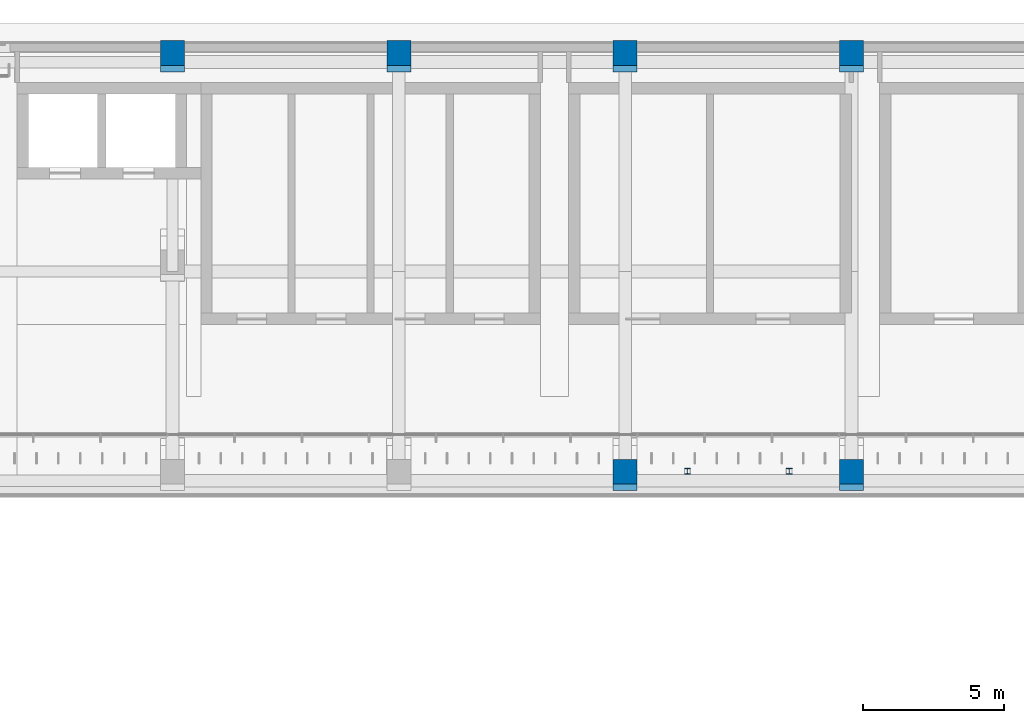
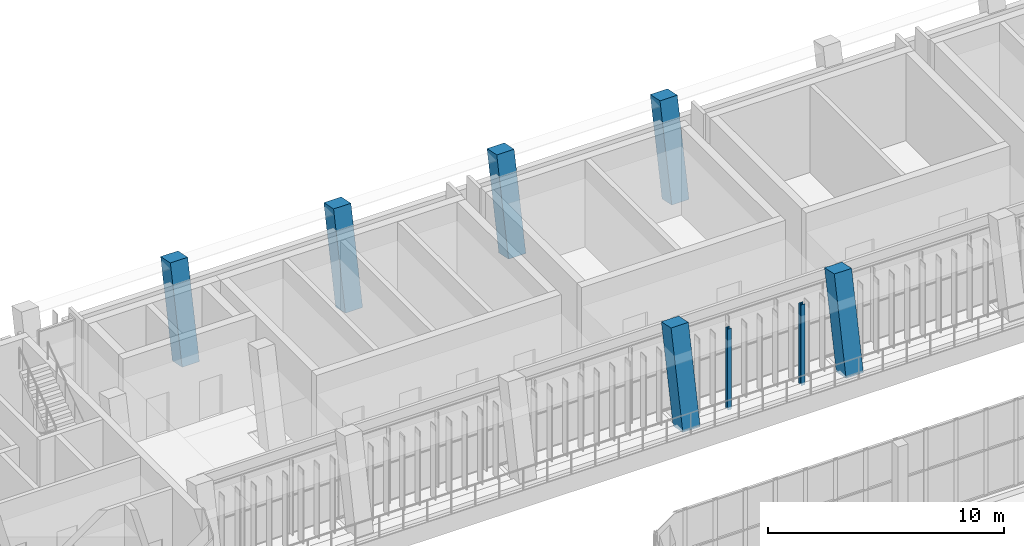
# One storey, part 4 of 92: 8 columns.
"""IFC4 building model written with IfcOpenShell, lengths in metres."""

from ifc_helpers import new_model, si_unit, direction, frame, origin, origin_2d, place, context, subcontext, project, spatial, rectangle, i_section, extrude, material, material_profile, profile_set, type_object, element, save


model = new_model("IFC4")

# Units and contexts
model_context = context("Model", 3, precision=1e-05, world=origin(), true_north=direction((0.0, 1.0)))
body_context = subcontext(model_context, "Body", "Model", "MODEL_VIEW")
ifc_project = project(units=[si_unit("LENGTHUNIT", "METRE"), si_unit("AREAUNIT", "SQUARE_METRE"), si_unit("VOLUMEUNIT", "CUBIC_METRE"), si_unit("PLANEANGLEUNIT", "RADIAN"), si_unit("MASSUNIT", "GRAM", prefix="KILO")], contexts=[model_context])

# Site, building, storey
site_placement = place(None, origin())
site = spatial("IfcSite", under=ifc_project, at=site_placement, CompositionType="ELEMENT")
building_placement = place(site_placement, origin())
building = spatial("IfcBuilding", under=site, at=building_placement, Name="Lantern Court Media Centre", CompositionType="ELEMENT")
storey_placement = place(building_placement, frame((0.0, 0.0, 4.800048828125)))
storey = spatial("IfcBuildingStorey", under=building, at=storey_placement, Name="L01", CompositionType="ELEMENT", Elevation=4.800048828125)

# Columns
ifc_material_1 = material(Name="Steel S355J2 (EN 10025-2)", Category="steel")
ifc_material_profile_1 = material_profile(ifc_material_1, i_section(OverallWidth=0.199951171875, OverallDepth=0.199951171875, WebThickness=0.009033203125, FlangeThickness=0.014892578125, FilletRadius=0.01806640625, at=origin_2d()), Name="HEB 200")
ifc_profile_set_1 = profile_set([ifc_material_profile_1], Name="Steel S355J2 (EN 10025-2)")
column_type_1 = type_object("IfcColumnType", Name="Court bridge north pier HEB 200", PredefinedType="COLUMN", material=ifc_profile_set_1)
for number, where, z_axis, x_axis, name in (
    (1, (50.199951171875, 97.860107421875, 0.0), (0.0, 0.0, 1.0), (1.0, 0.0, 0.0), "Court bridge north bearing pier 1 upper"),
    (2, (53.800048828125, 97.860107421875, 0.0), (0.0, 0.0, 1.0), (1.0, 0.0, 0.0), "Court bridge north bearing pier 2 upper"),
):
    element("IfcColumn", number, at=place(storey_placement, frame(where, z_axis=z_axis, x_axis=x_axis)), inside=storey, type_object=column_type_1, Name=name, PredefinedType="COLUMN", context=body_context, shape_type="SweptSolid", body=[
        extrude(i_section(OverallWidth=0.199951171875, OverallDepth=0.199951171875, WebThickness=0.009033203125, FlangeThickness=0.014892578125, FilletRadius=0.01806640625, at=origin_2d()), origin(), (0.0, 0.0, 1.0), 4.18994140625),
    ])
ifc_material_2 = material(Name="Concrete C35", Category="concrete")
ifc_material_profile_2 = material_profile(ifc_material_2, rectangle(XDim=0.85009765625, YDim=0.85009765625, at=origin_2d()), Name="RC 850x850")
ifc_profile_set_2 = profile_set([ifc_material_profile_2], Name="Concrete C35")
column_type_2 = type_object("IfcColumnType", Name="RC COLUMN 850x850", PredefinedType="COLUMN", material=ifc_profile_set_2)
for number, where, z_axis, x_axis, name in (
    (3, (48.0, 97.60009765625, 0.0), (0.0, 0.203952265704, 0.978980833987), (-1.0, 0.0, 0.0), "C-N-0-3-L01"),
    (4, (56.0, 97.60009765625, 0.0), (0.0, 0.203952265704, 0.978980833987), (-1.0, 0.0, 0.0), "C-N-0-4-L01"),
    (5, (32.0, 112.39990234375, 0.0), (0.0, 0.203952265704, 0.978980833987), (-1.0, 0.0, 0.0), "C-N-2-1-L01"),
    (6, (40.0, 112.39990234375, 0.0), (0.0, 0.203952265704, 0.978980833987), (-1.0, 0.0, 0.0), "C-N-2-2-L01"),
    (7, (48.0, 112.39990234375, 0.0), (0.0, 0.203952265704, 0.978980833987), (-1.0, 0.0, 0.0), "C-N-2-3-L01"),
    (8, (56.0, 112.39990234375, 0.0), (0.0, 0.203952265704, 0.978980833987), (-1.0, 0.0, 0.0), "C-N-2-4-L01"),
):
    element("IfcColumn", number, at=place(storey_placement, frame(where, z_axis=z_axis, x_axis=x_axis)), inside=storey, type_object=column_type_2, Name=name, PredefinedType="COLUMN", context=body_context, shape_type="SweptSolid", body=[
        extrude(rectangle(XDim=0.85009765625, YDim=0.85009765625, at=origin_2d()), origin(), (0.0, 0.0, 1.0), 4.903076171875),
    ])

save(model, "model.ifc")
